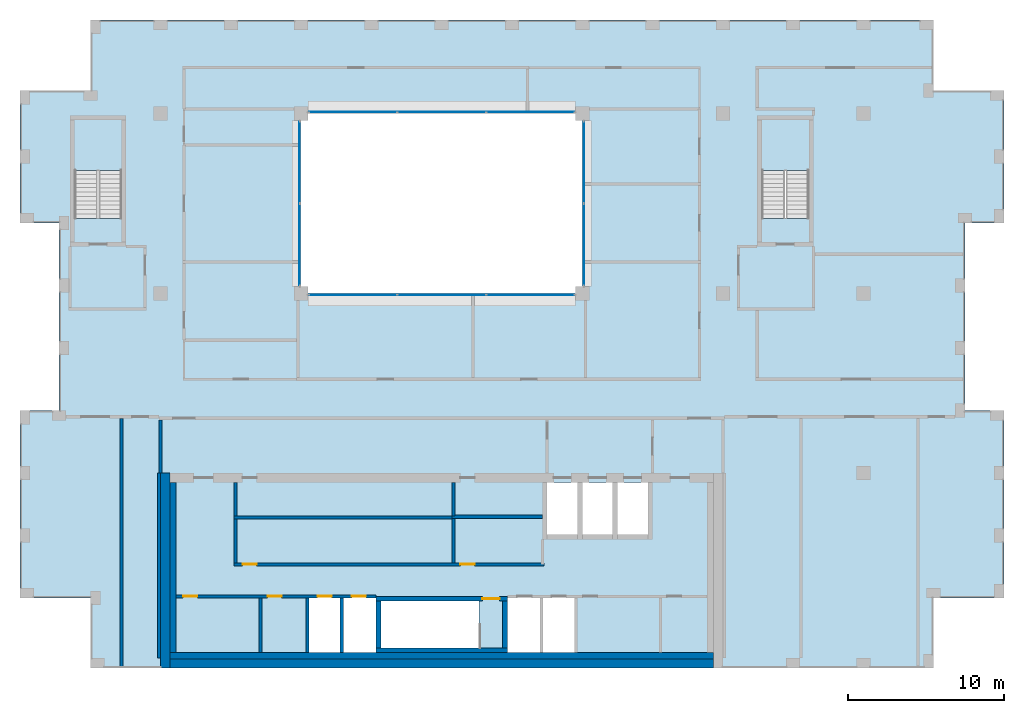
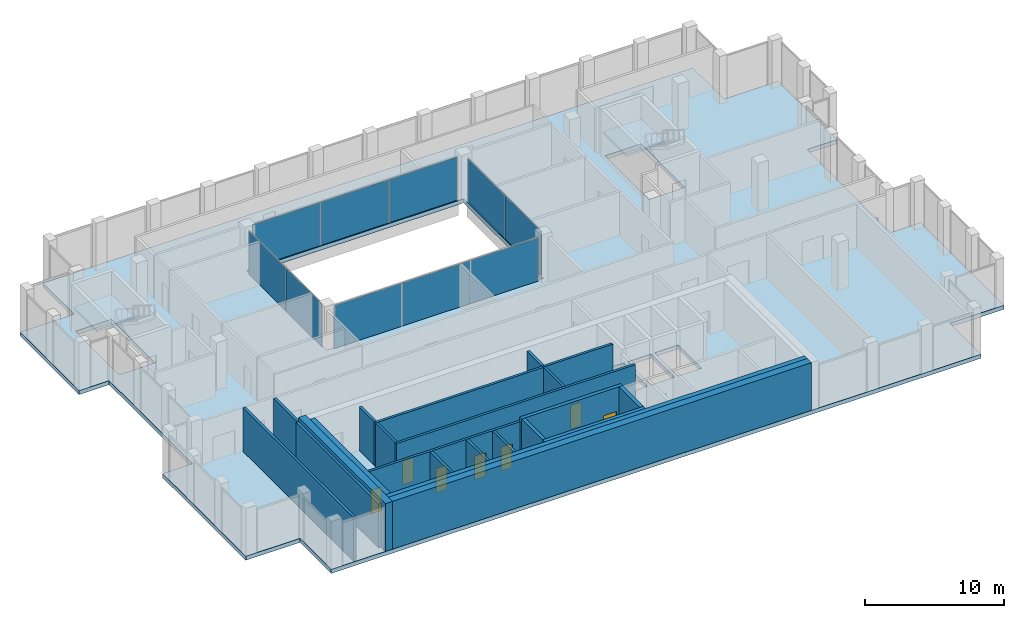
# One storey, part 10 of 15: 22 walls, 10 plates, 7 doors, 3 slabs, 7 openings, 6 elements without a shape of their own.
"""IFC4 building model written with IfcOpenShell, lengths in metres."""

from ifc_helpers import new_model, si_unit, direction, frame, frame_2d, origin, origin_2d, place, context, subcontext, project, spatial, polyline, rectangle, outline, extrude, material, layer, layer_set, type_object, element, fill, aggregate, save


model = new_model("IFC4")

# Units and contexts
model_context = context("Model", 3, precision=1e-05, world=origin(), true_north=direction((0.0, 1.0)))
body_context = subcontext(model_context, "Body", "Model", "MODEL_VIEW")
ifc_project = project(units=[si_unit("LENGTHUNIT", "METRE"), si_unit("AREAUNIT", "SQUARE_METRE"), si_unit("VOLUMEUNIT", "CUBIC_METRE"), si_unit("PLANEANGLEUNIT", "RADIAN"), si_unit("MASSUNIT", "GRAM", prefix="KILO")], contexts=[model_context])

# Site, building, storey
site_placement = place(None, origin())
site = spatial("IfcSite", under=ifc_project, at=site_placement, CompositionType="ELEMENT")
building_placement = place(site_placement, origin())
building = spatial("IfcBuilding", under=site, at=building_placement, Name="Brigalow Station Residences", CompositionType="ELEMENT")
storey_placement = place(building_placement, frame((0.0, 0.0, 240.0)))
storey = spatial("IfcBuildingStorey", under=building, at=storey_placement, Name="L69", CompositionType="ELEMENT", Elevation=240.0)

# Curtain wall, plates
ifc_material_1 = material(Name="Aluminium", Category="aluminium")
ifc_layer_1 = layer(ifc_material_1, 0.14990234375)
ifc_layer_set_1 = layer_set([ifc_layer_1], Name="ATRIUM FIRE-RATED GLAZING CURTAIN WALL")
curtain_wall_type = type_object("IfcCurtainWallType", Name="ATRIUM FIRE-RATED GLAZING CURTAIN WALL", PredefinedType="NOTDEFINED", material=ifc_layer_set_1)
curtain_wall_1_placement = place(storey_placement, origin())
curtain_wall_1 = element("IfcCurtainWall", 1, at=curtain_wall_1_placement, inside=storey, type_object=curtain_wall_type, Name="L69/cw/atrium-S", PredefinedType="NOTDEFINED")
ifc_material_2 = material(Name="Fire-resisting laminated glazing, FRL -/60/-", Category="glass")
ifc_layer_2 = layer(ifc_material_2, 0.031982421875)
ifc_layer_set_2 = layer_set([ifc_layer_2], Name="ATRIUM FIRE-RATED GLAZING PANEL 32")
plate_type = type_object("IfcPlateType", Name="ATRIUM FIRE-RATED GLAZING PANEL 32", PredefinedType="CURTAIN_PANEL", material=ifc_layer_set_2)
plate_1_placement = place(storey_placement, frame((30.31494140625, 23.89990234375, 0.0), z_axis=(0.0, 0.0, 1.0), x_axis=(1.0, 0.0, 0.0)))
plate_1 = element("IfcPlate", 2, at=plate_1_placement, type_object=plate_type, Name="L69/cw/atrium-S/P00-00", PredefinedType="CURTAIN_PANEL", context=body_context, shape_type="SweptSolid", body=[
    extrude(rectangle(XDim=5.610107421875, YDim=0.031982421875, at=origin_2d()), origin(), (0.0, 0.0, 1.0), 3.7900390625),
])
plate_2_placement = place(storey_placement, frame((36.0, 23.89990234375, 0.0), z_axis=(0.0, 0.0, 1.0), x_axis=(1.0, 0.0, 0.0)))
plate_2 = element("IfcPlate", 3, at=plate_2_placement, type_object=plate_type, Name="L69/cw/atrium-S/P01-00", PredefinedType="CURTAIN_PANEL", context=body_context, shape_type="SweptSolid", body=[
    extrude(rectangle(XDim=5.639892578125, YDim=0.031982421875, at=origin_2d()), origin(), (0.0, 0.0, 1.0), 3.7900390625),
])
plate_3_placement = place(storey_placement, frame((41.68505859375, 23.89990234375, 0.0), z_axis=(0.0, 0.0, 1.0), x_axis=(1.0, 0.0, 0.0)))
plate_3 = element("IfcPlate", 4, at=plate_3_placement, type_object=plate_type, Name="L69/cw/atrium-S/P02-00", PredefinedType="CURTAIN_PANEL", context=body_context, shape_type="SweptSolid", body=[
    extrude(rectangle(XDim=5.610107421875, YDim=0.031982421875, at=origin_2d()), origin(), (0.0, 0.0, 1.0), 3.7900390625),
])
aggregate(curtain_wall_1, [plate_1, plate_2, plate_3])

curtain_wall_2_placement = place(storey_placement, origin())
curtain_wall_2 = element("IfcCurtainWall", 5, at=curtain_wall_2_placement, inside=storey, type_object=curtain_wall_type, Name="L69/cw/atrium-E", PredefinedType="NOTDEFINED")
plate_4_placement = place(storey_placement, frame((45.10009765625, 27.114990234375, 0.0), z_axis=(0.0, 0.0, 1.0), x_axis=(0.0, 1.0, 0.0)))
plate_4 = element("IfcPlate", 6, at=plate_4_placement, type_object=plate_type, Name="L69/cw/atrium-E/P00-00", PredefinedType="CURTAIN_PANEL", context=body_context, shape_type="SweptSolid", body=[
    extrude(rectangle(XDim=5.2099609375, YDim=0.031982421875, at=origin_2d()), origin(), (0.0, 0.0, 1.0), 3.7900390625),
])
plate_5_placement = place(storey_placement, frame((45.10009765625, 32.385009765625, 0.0), z_axis=(0.0, 0.0, 1.0), x_axis=(0.0, 1.0, 0.0)))
plate_5 = element("IfcPlate", 7, at=plate_5_placement, type_object=plate_type, Name="L69/cw/atrium-E/P01-00", PredefinedType="CURTAIN_PANEL", context=body_context, shape_type="SweptSolid", body=[
    extrude(rectangle(XDim=5.2099609375, YDim=0.031982421875, at=origin_2d()), origin(), (0.0, 0.0, 1.0), 3.7900390625),
])
aggregate(curtain_wall_2, [plate_4, plate_5])

curtain_wall_3_placement = place(storey_placement, origin())
curtain_wall_3 = element("IfcCurtainWall", 8, at=curtain_wall_3_placement, inside=storey, type_object=curtain_wall_type, Name="L69/cw/atrium-N", PredefinedType="NOTDEFINED")
plate_6_placement = place(storey_placement, frame((41.68505859375, 35.60009765625, 0.0), z_axis=(0.0, 0.0, 1.0), x_axis=(-1.0, 0.0, 0.0)))
plate_6 = element("IfcPlate", 9, at=plate_6_placement, type_object=plate_type, Name="L69/cw/atrium-N/P00-00", PredefinedType="CURTAIN_PANEL", context=body_context, shape_type="SweptSolid", body=[
    extrude(rectangle(XDim=5.610107421875, YDim=0.031982421875, at=origin_2d()), origin(), (0.0, 0.0, 1.0), 3.7900390625),
])
plate_7_placement = place(storey_placement, frame((36.0, 35.60009765625, 0.0), z_axis=(0.0, 0.0, 1.0), x_axis=(-1.0, 0.0, 0.0)))
plate_7 = element("IfcPlate", 10, at=plate_7_placement, type_object=plate_type, Name="L69/cw/atrium-N/P01-00", PredefinedType="CURTAIN_PANEL", context=body_context, shape_type="SweptSolid", body=[
    extrude(rectangle(XDim=5.639892578125, YDim=0.031982421875, at=origin_2d()), origin(), (0.0, 0.0, 1.0), 3.7900390625),
])
plate_8_placement = place(storey_placement, frame((30.31494140625, 35.60009765625, 0.0), z_axis=(0.0, 0.0, 1.0), x_axis=(-1.0, 0.0, 0.0)))
plate_8 = element("IfcPlate", 11, at=plate_8_placement, type_object=plate_type, Name="L69/cw/atrium-N/P02-00", PredefinedType="CURTAIN_PANEL", context=body_context, shape_type="SweptSolid", body=[
    extrude(rectangle(XDim=5.610107421875, YDim=0.031982421875, at=origin_2d()), origin(), (0.0, 0.0, 1.0), 3.7900390625),
])
aggregate(curtain_wall_3, [plate_6, plate_7, plate_8])

curtain_wall_4_placement = place(storey_placement, origin())
curtain_wall_4 = element("IfcCurtainWall", 12, at=curtain_wall_4_placement, inside=storey, type_object=curtain_wall_type, Name="L69/cw/atrium-W", PredefinedType="NOTDEFINED")
plate_9_placement = place(storey_placement, frame((26.89990234375, 32.385009765625, 0.0), z_axis=(0.0, 0.0, 1.0), x_axis=(0.0, -1.0, 0.0)))
plate_9 = element("IfcPlate", 13, at=plate_9_placement, type_object=plate_type, Name="L69/cw/atrium-W/P00-00", PredefinedType="CURTAIN_PANEL", context=body_context, shape_type="SweptSolid", body=[
    extrude(rectangle(XDim=5.2099609375, YDim=0.031982421875, at=origin_2d()), origin(), (0.0, 0.0, 1.0), 3.7900390625),
])
plate_10_placement = place(storey_placement, frame((26.89990234375, 27.114990234375, 0.0), z_axis=(0.0, 0.0, 1.0), x_axis=(0.0, -1.0, 0.0)))
plate_10 = element("IfcPlate", 14, at=plate_10_placement, type_object=plate_type, Name="L69/cw/atrium-W/P01-00", PredefinedType="CURTAIN_PANEL", context=body_context, shape_type="SweptSolid", body=[
    extrude(rectangle(XDim=5.2099609375, YDim=0.031982421875, at=origin_2d()), origin(), (0.0, 0.0, 1.0), 3.7900390625),
])
aggregate(curtain_wall_4, [plate_9, plate_10])

# Slab
ifc_material_3 = material(Name="Concrete C50", Category="concrete")
ifc_layer_3 = layer(ifc_material_3, 0.35009765625)
ifc_layer_set_3 = layer_set([ifc_layer_3], Name="REINFORCED PLANT FLOOR SLAB 350 C50")
slab_type_1 = type_object("IfcSlabType", Name="REINFORCED PLANT FLOOR SLAB 350 C50", PredefinedType="FLOOR", material=ifc_layer_set_3)
slab_1_placement = place(storey_placement, frame((0.0, 0.0, -0.35009765625)))
element("IfcSlab", 15, at=slab_1_placement, inside=storey, type_object=slab_type_1, Name="FLOOR SLAB L69", PredefinedType="FLOOR", context=body_context, shape_type="SweptSolid", body=[
    extrude(outline(polyline([(13.5, 0.0), (67.5, 0.0), (67.5, 4.5), (72.0, 4.5), (72.0, 16.5), (69.5, 16.5), (69.5, 28.5), (72.0, 28.5), (72.0, 37.0), (67.5, 37.0), (67.5, 41.5), (13.5, 41.5), (13.5, 37.0), (9.0, 37.0), (9.0, 28.5), (11.5, 28.5), (11.5, 16.5), (9.0, 16.5), (9.0, 4.5), (13.5, 4.5), (13.5, 0.0)]), holes=[polyline([(12.5048828125, 28.804931640625), (12.5048828125, 35.094970703125), (15.4951171875, 35.094970703125), (15.4951171875, 28.804931640625), (12.5048828125, 28.804931640625)]), polyline([(27.0, 35.5), (45.0, 35.5), (45.0, 24.0), (27.0, 24.0), (27.0, 35.5)]), polyline([(31.800048828125, 1.0), (29.60009765625, 1.0), (27.39990234375, 1.0), (27.39990234375, 4.60009765625), (29.60009765625, 4.60009765625), (31.800048828125, 4.60009765625), (31.800048828125, 1.0)]), polyline([(32.10498046875, 1.304931640625), (32.10498046875, 4.294921875), (38.39501953125, 4.294921875), (38.39501953125, 1.304931640625), (32.10498046875, 1.304931640625)]), polyline([(40.199951171875, 4.60009765625), (42.39990234375, 4.60009765625), (44.60009765625, 4.60009765625), (44.60009765625, 1.0), (42.39990234375, 1.0), (40.199951171875, 1.0), (40.199951171875, 4.60009765625)]), polyline([(42.75, 11.89990234375), (44.699951171875, 11.89990234375), (44.699951171875, 8.550048828125), (42.75, 8.550048828125), (42.75, 11.89990234375)]), polyline([(45.0, 8.550048828125), (45.0, 11.89990234375), (46.949951171875, 11.89990234375), (46.949951171875, 8.550048828125), (45.0, 8.550048828125)]), polyline([(47.25, 11.89990234375), (49.199951171875, 11.89990234375), (49.199951171875, 8.550048828125), (47.25, 8.550048828125), (47.25, 11.89990234375)]), polyline([(56.5048828125, 35.094970703125), (59.4951171875, 35.094970703125), (59.4951171875, 28.804931640625), (56.5048828125, 28.804931640625), (56.5048828125, 35.094970703125)])]), origin(), (0.0, 0.0, 1.0), 0.35009765625),
])

# Stair, slab
ifc_material_4 = material(Name="Concrete C50", Category="concrete")
stair_type = type_object("IfcStairType", Name="EXIT STAIR 1400 2 FLIGHT", PredefinedType="HALF_TURN_STAIR", material=ifc_material_4)
stair_1_placement = place(storey_placement, origin())
stair_1 = element("IfcStair", 16, at=stair_1_placement, inside=storey, type_object=stair_type, Name="EXIT STAIR S1 L69", PredefinedType="HALF_TURN_STAIR")
ifc_material_5 = material(Name="Concrete C50", Category="concrete")
ifc_layer_4 = layer(ifc_material_5, 0.199951171875)
ifc_layer_set_4 = layer_set([ifc_layer_4], Name="STAIR LANDING 200")
slab_type_2 = type_object("IfcSlabType", Name="STAIR LANDING 200", PredefinedType="LANDING", material=ifc_layer_set_4)
slab_2_placement = place(storey_placement, frame((0.0, 0.0, 1.89990234375)))
slab_2 = element("IfcSlab", 17, at=slab_2_placement, type_object=slab_type_2, Name="ST-1 landing 1", PredefinedType="LANDING", context=body_context, shape_type="SweptSolid", body=[
    extrude(outline(polyline([(12.39990234375, 31.8798828125), (15.60009765625, 31.8798828125), (15.60009765625, 35.199951171875), (12.39990234375, 35.199951171875), (12.39990234375, 31.8798828125)])), origin(), (0.0, 0.0, 1.0), 0.2001953125),
])
aggregate(stair_1, [slab_2])

stair_2_placement = place(storey_placement, origin())
stair_2 = element("IfcStair", 18, at=stair_2_placement, inside=storey, type_object=stair_type, Name="EXIT STAIR S3 L69", PredefinedType="HALF_TURN_STAIR")
slab_3_placement = place(storey_placement, frame((0.0, 0.0, 1.89990234375)))
slab_3 = element("IfcSlab", 19, at=slab_3_placement, type_object=slab_type_2, Name="ST-3 landing 1", PredefinedType="LANDING", context=body_context, shape_type="SweptSolid", body=[
    extrude(outline(polyline([(56.39990234375, 31.8798828125), (59.60009765625, 31.8798828125), (59.60009765625, 35.199951171875), (56.39990234375, 35.199951171875), (56.39990234375, 31.8798828125)])), origin(), (0.0, 0.0, 1.0), 0.2001953125),
])
aggregate(stair_2, [slab_3])

# Wall
ifc_material_6 = material(Name="Concrete C50", Category="concrete")
ifc_layer_5 = layer(ifc_material_6, 0.300048828125)
ifc_layer_set_5 = layer_set([ifc_layer_5], Name="CORE SHEAR WALL 300 C50")
wall_type_1 = type_object("IfcWallType", Name="CORE SHEAR WALL 300 C50", PredefinedType="SHEAR", material=ifc_layer_set_5)
wall_1_placement = place(storey_placement, frame((31.800048828125, 1.14990234375, 0.0), z_axis=(0.0, 0.0, 1.0), x_axis=(1.0, 0.0, 0.0)))
element("IfcWall", 20, at=wall_1_placement, inside=storey, type_object=wall_type_1, Name="CORE WALL ST-S2-S L69", PredefinedType="SHEAR", context=body_context, shape_type="SweptSolid", body=[
    extrude(rectangle(XDim=8.39990234375, YDim=0.300048828125, at=frame_2d((4.199951171875, 0.0))), origin(), (0.0, 0.0, 1.0), 4.199951171875),
])

# Wall, opening, door
wall_2_placement = place(storey_placement, frame((31.800048828125, 4.449951171875, 0.0), z_axis=(0.0, 0.0, 1.0), x_axis=(1.0, 0.0, 0.0)))
wall_2 = element("IfcWall", 21, at=wall_2_placement, inside=storey, type_object=wall_type_1, Name="CORE WALL ST-S2-N L69", PredefinedType="SHEAR", context=body_context, shape_type="SweptSolid", body=[
    extrude(rectangle(XDim=8.39990234375, YDim=0.300048828125, at=frame_2d((4.199951171875, 0.0))), origin(), (0.0, 0.0, 1.0), 4.199951171875),
])
opening_1_placement = place(wall_2_placement, frame((6.800048828125, 0.0, 0.0)))
opening_1 = element("IfcOpeningElement", 22, at=opening_1_placement, cuts=wall_2, Name="Opening D-5001", PredefinedType="OPENING", context=body_context, shape_type="SweptSolid", body=[
    extrude(rectangle(XDim=1.10009765625, YDim=2.10009765625, at=frame_2d((0.550048828125, 1.050048828125))), frame((0.0, 0.16015625, 0.0), z_axis=(0.0, -1.0, 0.0), x_axis=(1.0, 0.0, 0.0)), (0.0, 0.0, 1.0), 0.320068359375),
])
ifc_material_7 = material(Name="Steel fire door leaf in steel frame", Category="steel")
door_type_1 = type_object("IfcDoorType", Name="STAIR DOOR 1100 x 2100 FD60S", OperationType="SINGLE_SWING_LEFT", PredefinedType="DOOR", material=ifc_material_7)
door_1_placement = place(opening_1_placement, frame((1.10009765625, 0.0, 0.0), z_axis=(0.0, 0.0, 1.0), x_axis=(-1.0, 0.0, 0.0)))
door_1 = element("IfcDoor", 23, at=door_1_placement, inside=storey, type_object=door_type_1, Name="D-5001", OperationType="SINGLE_SWING_LEFT", OverallHeight=2.10009765625, OverallWidth=1.10009765625, PredefinedType="DOOR", context=body_context, shape_type="SweptSolid", body=[
    extrude(rectangle(XDim=1.10009765625, YDim=2.10009765625, at=frame_2d((0.550048828125, 1.050048828125))), frame((0.0, 0.02490234375, 0.0), z_axis=(0.0, -1.0, 0.0), x_axis=(1.0, 0.0, 0.0)), (0.0, 0.0, 1.0), 0.050048828125),
])
fill(opening_1, door_1)

# Walls
for number, where, z_axis, x_axis, name in (
    (24, (31.949951171875, 1.300048828125, 0.0), (0.0, 0.0, 1.0), (0.0, 1.0, 0.0), "CORE WALL ST-S2-W L69"),
    (25, (40.050048828125, 1.300048828125, 0.0), (0.0, 0.0, 1.0), (0.0, 1.0, 0.0), "CORE WALL ST-S2-E L69"),
):
    element("IfcWall", number, at=place(storey_placement, frame(where, z_axis=z_axis, x_axis=x_axis)), inside=storey, type_object=wall_type_1, Name=name, PredefinedType="SHEAR", context=body_context, shape_type="SweptSolid", body=[
        extrude(rectangle(XDim=3.0, YDim=0.300048828125, at=frame_2d((1.5, 0.0))), origin(), (0.0, 0.0, 1.0), 4.199951171875),
    ])
ifc_material_8 = material(Name="Concrete C50", Category="concrete")
ifc_layer_6 = layer(ifc_material_8, 0.39990234375)
ifc_layer_set_6 = layer_set([ifc_layer_6], Name="CORE SHEAR WALL 400 C50")
wall_type_2 = type_object("IfcWallType", Name="CORE SHEAR WALL 400 C50", PredefinedType="SHEAR", material=ifc_layer_set_6)
wall_3_placement = place(storey_placement, frame((18.800048828125, 1.0, 0.0), z_axis=(0.0, 0.0, 1.0), x_axis=(0.0, 1.0, 0.0)))
element("IfcWall", 26, at=wall_3_placement, inside=storey, type_object=wall_type_2, Name="CORE WALL LIN-W L69", PredefinedType="SHEAR", context=body_context, shape_type="SweptSolid", body=[
    extrude(rectangle(XDim=10.89990234375, YDim=0.39990234375, at=frame_2d((5.449951171875, 0.0))), origin(), (0.0, 0.0, 1.0), 4.199951171875),
])
wall_4_placement = place(storey_placement, frame((18.60009765625, 0.800048828125, 0.0), z_axis=(0.0, 0.0, 1.0), x_axis=(1.0, 0.0, 0.0)))
element("IfcWall", 27, at=wall_4_placement, inside=storey, type_object=wall_type_2, Name="CORE WALL LIN-S L69", PredefinedType="SHEAR", context=body_context, shape_type="SweptSolid", body=[
    extrude(rectangle(XDim=34.7998046875, YDim=0.39990234375, at=frame_2d((17.39990234375, 0.0))), origin(), (0.0, 0.0, 1.0), 4.199951171875),
])
ifc_material_9 = material(Name="Concrete C50", Category="concrete")
ifc_layer_7 = layer(ifc_material_9, 0.60009765625)
ifc_layer_set_7 = layer_set([ifc_layer_7], Name="CORE SHEAR WALL 600 C50")
wall_type_3 = type_object("IfcWallType", Name="CORE SHEAR WALL 600 C50", PredefinedType="SHEAR", material=ifc_layer_set_7)
wall_5_placement = place(storey_placement, frame((18.300048828125, 0.0, 0.0), z_axis=(0.0, 0.0, 1.0), x_axis=(0.0, 1.0, 0.0)))
element("IfcWall", 28, at=wall_5_placement, inside=storey, type_object=wall_type_3, Name="CORE WALL OUT-W L69", PredefinedType="SHEAR", context=body_context, shape_type="SweptSolid", body=[
    extrude(rectangle(XDim=12.5, YDim=0.60009765625, at=frame_2d((6.25, 0.0))), origin(), (0.0, 0.0, 1.0), 4.199951171875),
])
wall_6_placement = place(storey_placement, frame((18.60009765625, 0.300048828125, 0.0), z_axis=(0.0, 0.0, 1.0), x_axis=(1.0, 0.0, 0.0)))
element("IfcWall", 29, at=wall_6_placement, inside=storey, type_object=wall_type_3, Name="CORE WALL OUT-S L69", PredefinedType="SHEAR", context=body_context, shape_type="SweptSolid", body=[
    extrude(rectangle(XDim=34.7998046875, YDim=0.60009765625, at=frame_2d((17.39990234375, 0.0))), origin(), (0.0, 0.0, 1.0), 4.199951171875),
])

# Wall, openings, doors
ifc_material_10 = material(Name="Concrete blockwork", Category="masonry")
ifc_layer_8 = layer(ifc_material_10, 0.199951171875)
ifc_layer_set_8 = layer_set([ifc_layer_8], Name="FIRE RATED CORE PARTITION 200")
wall_type_4 = type_object("IfcWallType", Name="FIRE RATED CORE PARTITION 200", PredefinedType="PARTITIONING", material=ifc_layer_set_8)
wall_7_placement = place(storey_placement, frame((19.0, 4.60009765625, 0.0), z_axis=(0.0, 0.0, 1.0), x_axis=(1.0, 0.0, 0.0)))
wall_7 = element("IfcWall", 30, at=wall_7_placement, inside=storey, type_object=wall_type_4, Name="PW-5001", PredefinedType="PARTITIONING", context=body_context, shape_type="SweptSolid", body=[
    extrude(rectangle(XDim=12.800048828125, YDim=0.199951171875, at=frame_2d((6.39990234375, 0.0))), origin(), (0.0, 0.0, 1.0), 3.85009765625),
])
opening_2_placement = place(wall_7_placement, frame((0.449951171875, 0.0, 0.0)))
opening_2 = element("IfcOpeningElement", 31, at=opening_2_placement, cuts=wall_7, Name="Opening D-5004", PredefinedType="OPENING", context=body_context, shape_type="SweptSolid", body=[
    extrude(rectangle(XDim=0.89990234375, YDim=2.10009765625, at=frame_2d((0.449951171875, 1.050048828125))), frame((0.0, 0.10986328125, 0.0), z_axis=(0.0, -1.0, 0.0), x_axis=(1.0, 0.0, 0.0)), (0.0, 0.0, 1.0), 0.219970703125),
])
opening_3_placement = place(wall_7_placement, frame((5.85009765625, 0.0, 0.0)))
opening_3 = element("IfcOpeningElement", 32, at=opening_3_placement, cuts=wall_7, Name="Opening D-5165", PredefinedType="OPENING", context=body_context, shape_type="SweptSolid", body=[
    extrude(rectangle(XDim=0.89990234375, YDim=2.10009765625, at=frame_2d((0.449951171875, 1.050048828125))), frame((0.0, 0.10986328125, 0.0), z_axis=(0.0, -1.0, 0.0), x_axis=(1.0, 0.0, 0.0)), (0.0, 0.0, 1.0), 0.219970703125),
])
opening_4_placement = place(wall_7_placement, frame((9.050048828125, 0.0, 0.0)))
opening_4 = element("IfcOpeningElement", 33, at=opening_4_placement, cuts=wall_7, Name="Opening D-5007", PredefinedType="OPENING", context=body_context, shape_type="SweptSolid", body=[
    extrude(rectangle(XDim=0.89990234375, YDim=2.10009765625, at=frame_2d((0.449951171875, 1.050048828125))), frame((0.0, 0.10986328125, 0.0), z_axis=(0.0, -1.0, 0.0), x_axis=(1.0, 0.0, 0.0)), (0.0, 0.0, 1.0), 0.219970703125),
])
opening_5_placement = place(wall_7_placement, frame((11.25, 0.0, 0.0)))
opening_5 = element("IfcOpeningElement", 34, at=opening_5_placement, cuts=wall_7, Name="Opening D-5008", PredefinedType="OPENING", context=body_context, shape_type="SweptSolid", body=[
    extrude(rectangle(XDim=0.89990234375, YDim=2.10009765625, at=frame_2d((0.449951171875, 1.050048828125))), frame((0.0, 0.10986328125, 0.0), z_axis=(0.0, -1.0, 0.0), x_axis=(1.0, 0.0, 0.0)), (0.0, 0.0, 1.0), 0.219970703125),
])
ifc_material_11 = material(Name="Steel fire door leaf in steel frame", Category="steel")
door_type_2 = type_object("IfcDoorType", Name="PLANT ROOM DOOR 900 x 2100 FD60", OperationType="SINGLE_SWING_LEFT", PredefinedType="DOOR", material=ifc_material_11)
door_2_placement = place(opening_2_placement, frame((0.89990234375, 0.0, 0.0), z_axis=(0.0, 0.0, 1.0), x_axis=(-1.0, 0.0, 0.0)))
door_2 = element("IfcDoor", 35, at=door_2_placement, inside=storey, type_object=door_type_2, Name="D-5004", OperationType="SINGLE_SWING_RIGHT", OverallHeight=2.10009765625, OverallWidth=0.89990234375, PredefinedType="DOOR", context=body_context, shape_type="SweptSolid", body=[
    extrude(rectangle(XDim=0.89990234375, YDim=2.10009765625, at=frame_2d((0.449951171875, 1.050048828125))), frame((0.0, 0.02490234375, 0.0), z_axis=(0.0, -1.0, 0.0), x_axis=(1.0, 0.0, 0.0)), (0.0, 0.0, 1.0), 0.050048828125),
])
fill(opening_2, door_2)
door_3_placement = place(opening_3_placement, frame((0.89990234375, 0.0, 0.0), z_axis=(0.0, 0.0, 1.0), x_axis=(-1.0, 0.0, 0.0)))
door_3 = element("IfcDoor", 36, at=door_3_placement, inside=storey, type_object=door_type_2, Name="D-5165", OperationType="SINGLE_SWING_RIGHT", OverallHeight=2.10009765625, OverallWidth=0.89990234375, PredefinedType="DOOR", context=body_context, shape_type="SweptSolid", body=[
    extrude(rectangle(XDim=0.89990234375, YDim=2.10009765625, at=frame_2d((0.449951171875, 1.050048828125))), frame((0.0, 0.02490234375, 0.0), z_axis=(0.0, -1.0, 0.0), x_axis=(1.0, 0.0, 0.0)), (0.0, 0.0, 1.0), 0.050048828125),
])
fill(opening_3, door_3)
ifc_material_12 = material(Name="Steel fire door leaf in steel frame", Category="steel")
door_type_3 = type_object("IfcDoorType", Name="RISER ACCESS DOOR 900 x 2100 FD120", OperationType="SINGLE_SWING_LEFT", PredefinedType="DOOR", material=ifc_material_12)
door_4_placement = place(opening_4_placement, frame((0.89990234375, 0.0, 0.0), z_axis=(0.0, 0.0, 1.0), x_axis=(-1.0, 0.0, 0.0)))
door_4 = element("IfcDoor", 37, at=door_4_placement, inside=storey, type_object=door_type_3, Name="D-5007", OperationType="SINGLE_SWING_RIGHT", OverallHeight=2.10009765625, OverallWidth=0.89990234375, PredefinedType="DOOR", context=body_context, shape_type="SweptSolid", body=[
    extrude(rectangle(XDim=0.89990234375, YDim=2.10009765625, at=frame_2d((0.449951171875, 1.050048828125))), frame((0.0, 0.02490234375, 0.0), z_axis=(0.0, -1.0, 0.0), x_axis=(1.0, 0.0, 0.0)), (0.0, 0.0, 1.0), 0.050048828125),
])
fill(opening_4, door_4)
door_5_placement = place(opening_5_placement, frame((0.89990234375, 0.0, 0.0), z_axis=(0.0, 0.0, 1.0), x_axis=(-1.0, 0.0, 0.0)))
door_5 = element("IfcDoor", 38, at=door_5_placement, inside=storey, type_object=door_type_3, Name="D-5008", OperationType="SINGLE_SWING_RIGHT", OverallHeight=2.10009765625, OverallWidth=0.89990234375, PredefinedType="DOOR", context=body_context, shape_type="SweptSolid", body=[
    extrude(rectangle(XDim=0.89990234375, YDim=2.10009765625, at=frame_2d((0.449951171875, 1.050048828125))), frame((0.0, 0.02490234375, 0.0), z_axis=(0.0, -1.0, 0.0), x_axis=(1.0, 0.0, 0.0)), (0.0, 0.0, 1.0), 0.050048828125),
])
fill(opening_5, door_5)

wall_8_placement = place(storey_placement, frame((22.699951171875, 6.64990234375, 0.0), z_axis=(0.0, 0.0, 1.0), x_axis=(1.0, 0.0, 0.0)))
wall_8 = element("IfcWall", 39, at=wall_8_placement, inside=storey, type_object=wall_type_4, Name="PW-5245", PredefinedType="PARTITIONING", context=body_context, shape_type="SweptSolid", body=[
    extrude(rectangle(XDim=19.85009765625, YDim=0.199951171875, at=frame_2d((9.925048828125, 0.0))), origin(), (0.0, 0.0, 1.0), 3.85009765625),
])
opening_6_placement = place(wall_8_placement, frame((14.5, 0.0, 0.0)))
opening_6 = element("IfcOpeningElement", 40, at=opening_6_placement, cuts=wall_8, Name="Opening D-5125", PredefinedType="OPENING", context=body_context, shape_type="SweptSolid", body=[
    extrude(rectangle(XDim=0.89990234375, YDim=2.10009765625, at=frame_2d((0.449951171875, 1.050048828125))), frame((0.0, 0.10986328125, 0.0), z_axis=(0.0, -1.0, 0.0), x_axis=(1.0, 0.0, 0.0)), (0.0, 0.0, 1.0), 0.219970703125),
])
opening_7_placement = place(wall_8_placement, frame((0.550048828125, 0.0, 0.0)))
opening_7 = element("IfcOpeningElement", 41, at=opening_7_placement, cuts=wall_8, Name="Opening D-5128", PredefinedType="OPENING", context=body_context, shape_type="SweptSolid", body=[
    extrude(rectangle(XDim=0.89990234375, YDim=2.10009765625, at=frame_2d((0.449951171875, 1.050048828125))), frame((0.0, 0.10986328125, 0.0), z_axis=(0.0, -1.0, 0.0), x_axis=(1.0, 0.0, 0.0)), (0.0, 0.0, 1.0), 0.219970703125),
])
door_6_placement = place(opening_6_placement, origin())
door_6 = element("IfcDoor", 42, at=door_6_placement, inside=storey, type_object=door_type_2, Name="D-5125", OperationType="SINGLE_SWING_LEFT", OverallHeight=2.10009765625, OverallWidth=0.89990234375, PredefinedType="DOOR", context=body_context, shape_type="SweptSolid", body=[
    extrude(rectangle(XDim=0.89990234375, YDim=2.10009765625, at=frame_2d((0.449951171875, 1.050048828125))), frame((0.0, 0.02490234375, 0.0), z_axis=(0.0, -1.0, 0.0), x_axis=(1.0, 0.0, 0.0)), (0.0, 0.0, 1.0), 0.050048828125),
])
fill(opening_6, door_6)
door_7_placement = place(opening_7_placement, origin())
door_7 = element("IfcDoor", 43, at=door_7_placement, inside=storey, type_object=door_type_2, Name="D-5128", OperationType="SINGLE_SWING_LEFT", OverallHeight=2.10009765625, OverallWidth=0.89990234375, PredefinedType="DOOR", context=body_context, shape_type="SweptSolid", body=[
    extrude(rectangle(XDim=0.89990234375, YDim=2.10009765625, at=frame_2d((0.449951171875, 1.050048828125))), frame((0.0, 0.02490234375, 0.0), z_axis=(0.0, -1.0, 0.0), x_axis=(1.0, 0.0, 0.0)), (0.0, 0.0, 1.0), 0.050048828125),
])
fill(opening_7, door_7)

# Walls
wall_9_placement = place(storey_placement, frame((22.699951171875, 9.64990234375, 0.0), z_axis=(0.0, 0.0, 1.0), x_axis=(1.0, 0.0, 0.0)))
element("IfcWall", 44, at=wall_9_placement, inside=storey, type_object=wall_type_4, Name="PW-5247", PredefinedType="PARTITIONING", context=body_context, shape_type="SweptSolid", body=[
    extrude(rectangle(XDim=14.150146484375, YDim=0.199951171875, at=frame_2d((7.0751953125, 0.0))), origin(), (0.0, 0.0, 1.0), 3.85009765625),
])
wall_10_placement = place(storey_placement, frame((36.64990234375, 9.695068359375, 0.0), z_axis=(0.0, 0.0, 1.0), x_axis=(1.0, 0.0, 0.0)))
element("IfcWall", 45, at=wall_10_placement, inside=storey, type_object=wall_type_4, Name="PW-5296", PredefinedType="PARTITIONING", context=body_context, shape_type="SweptSolid", body=[
    extrude(rectangle(XDim=5.800048828125, YDim=0.199951171875, at=frame_2d((2.89990234375, 0.0))), origin(), (0.0, 0.0, 1.0), 3.85009765625),
])
for number, where, z_axis, x_axis, name in (
    (46, (24.39990234375, 1.0, 0.0), (0.0, 0.0, 1.0), (0.0, 1.0, 0.0), "PW-5334"),
    (47, (27.39990234375, 1.0, 0.0), (0.0, 0.0, 1.0), (0.0, 1.0, 0.0), "PW-5005"),
    (48, (29.60009765625, 1.0, 0.0), (0.0, 0.0, 1.0), (0.0, 1.0, 0.0), "PW-5006"),
):
    element("IfcWall", number, at=place(storey_placement, frame(where, z_axis=z_axis, x_axis=x_axis)), inside=storey, type_object=wall_type_4, Name=name, PredefinedType="PARTITIONING", context=body_context, shape_type="SweptSolid", body=[
        extrude(rectangle(XDim=3.5, YDim=0.199951171875, at=frame_2d((1.75, 0.0))), origin(), (0.0, 0.0, 1.0), 3.85009765625),
    ])
wall_11_placement = place(storey_placement, frame((22.800048828125, 6.75, 0.0), z_axis=(0.0, 0.0, 1.0), x_axis=(0.0, 1.0, 0.0)))
element("IfcWall", 49, at=wall_11_placement, inside=storey, type_object=wall_type_4, Name="PW-5252", PredefinedType="PARTITIONING", context=body_context, shape_type="SweptSolid", body=[
    extrude(rectangle(XDim=2.800048828125, YDim=0.199951171875, at=frame_2d((1.39990234375, 0.0))), origin(), (0.0, 0.0, 1.0), 3.85009765625),
])
wall_12_placement = place(storey_placement, frame((36.75, 6.75, 0.0), z_axis=(0.0, 0.0, 1.0), x_axis=(0.0, 1.0, 0.0)))
element("IfcWall", 50, at=wall_12_placement, inside=storey, type_object=wall_type_4, Name="PW-5297", PredefinedType="PARTITIONING", context=body_context, shape_type="SweptSolid", body=[
    extrude(rectangle(XDim=2.844970703125, YDim=0.199951171875, at=frame_2d((1.42236328125, 0.0))), origin(), (0.0, 0.0, 1.0), 3.85009765625),
])
for number, where, z_axis, x_axis, name in (
    (51, (22.800048828125, 9.75, 0.0), (0.0, 0.0, 1.0), (0.0, 1.0, 0.0), "PW-5255"),
    (52, (36.75, 9.75, 0.0), (0.0, 0.0, 1.0), (0.0, 1.0, 0.0), "PW-5256"),
):
    element("IfcWall", number, at=place(storey_placement, frame(where, z_axis=z_axis, x_axis=x_axis)), inside=storey, type_object=wall_type_4, Name=name, PredefinedType="PARTITIONING", context=body_context, shape_type="SweptSolid", body=[
        extrude(rectangle(XDim=2.14990234375, YDim=0.199951171875, at=frame_2d((1.074951171875, 0.0))), origin(), (0.0, 0.0, 1.0), 3.85009765625),
    ])
wall_13_placement = place(storey_placement, frame((18.0, 12.5, 0.0), z_axis=(0.0, 0.0, 1.0), x_axis=(0.0, 1.0, 0.0)))
element("IfcWall", 53, at=wall_13_placement, inside=storey, type_object=wall_type_4, Name="PW-5013", PredefinedType="PARTITIONING", context=body_context, shape_type="SweptSolid", body=[
    extrude(rectangle(XDim=3.39990234375, YDim=0.199951171875, at=frame_2d((1.699951171875, 0.0))), origin(), (0.0, 0.0, 1.0), 3.85009765625),
])
wall_14_placement = place(storey_placement, frame((15.5, 0.093017578125, 0.0), z_axis=(0.0, 0.0, 1.0), x_axis=(0.0, 1.0, 0.0)))
element("IfcWall", 54, at=wall_14_placement, inside=storey, type_object=wall_type_4, Name="PW-5316", PredefinedType="PARTITIONING", context=body_context, shape_type="SweptSolid", body=[
    extrude(rectangle(XDim=15.906982421875, YDim=0.199951171875, at=frame_2d((7.95361328125, 0.0))), origin(), (0.0, 0.0, 1.0), 3.85009765625),
])
wall_15_placement = place(storey_placement, frame((17.89990234375, 0.64990234375, 0.0), z_axis=(0.0, 0.0, 1.0), x_axis=(0.0, 1.0, 0.0)))
element("IfcWall", 55, at=wall_15_placement, inside=storey, type_object=wall_type_4, Name="PW-5317", PredefinedType="PARTITIONING", context=body_context, shape_type="SweptSolid", body=[
    extrude(rectangle(XDim=11.85009765625, YDim=0.199951171875, at=frame_2d((5.925048828125, 0.0))), origin(), (0.0, 0.0, 1.0), 3.85009765625),
])

save(model, "model.ifc")
